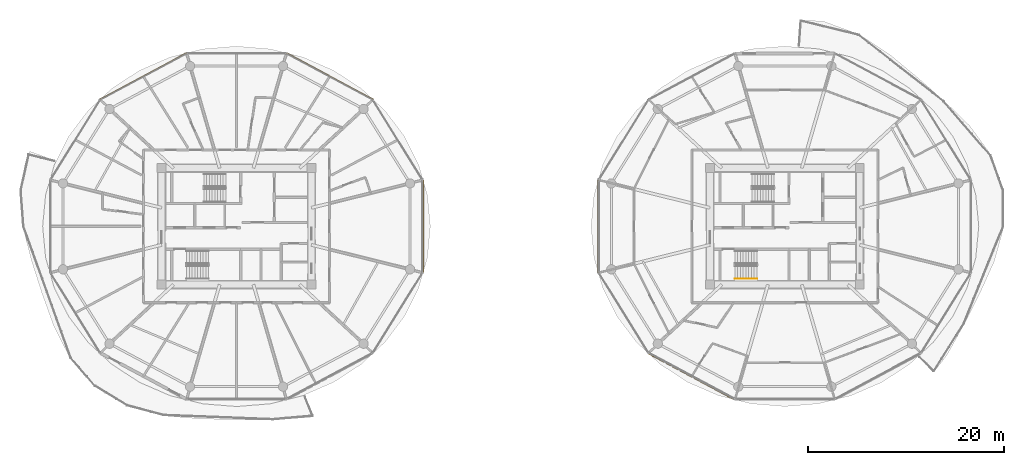
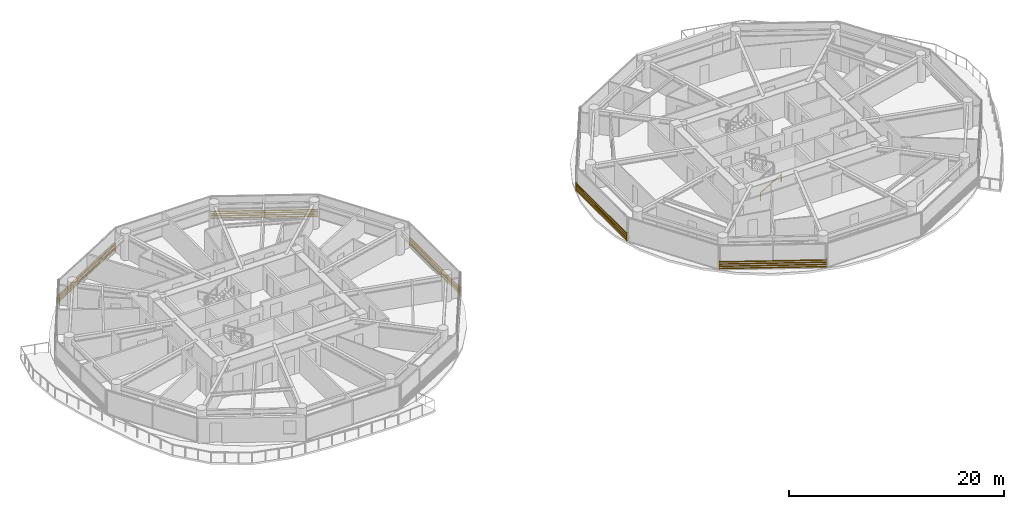
# One storey, part 26 of 28: 5 shading devices, 1 railing.
"""IFC4 building model written with IfcOpenShell, lengths in metres."""

from ifc_helpers import new_model, si_unit, direction, frame, origin, origin_2d, place, context, subcontext, project, spatial, rectangle, extrude, source, transform, mapped, material, type_object, type_shapes, element, save


model = new_model("IFC4")

# Units and contexts
model_context = context("Model", 3, precision=1e-05, world=origin(), true_north=direction((0.0, 1.0)))
body_context = subcontext(model_context, "Body", "Model", "MODEL_VIEW")
ifc_project = project(units=[si_unit("LENGTHUNIT", "METRE"), si_unit("AREAUNIT", "SQUARE_METRE"), si_unit("VOLUMEUNIT", "CUBIC_METRE"), si_unit("PLANEANGLEUNIT", "RADIAN"), si_unit("MASSUNIT", "GRAM", prefix="KILO")], contexts=[model_context])

# Site, building, storey
site_placement = place(None, origin())
site = spatial("IfcSite", under=ifc_project, at=site_placement, CompositionType="ELEMENT")
building_placement = place(site_placement, origin())
building = spatial("IfcBuilding", under=site, at=building_placement, Name="Norrkilde Senior Care Towers", CompositionType="ELEMENT")
storey_placement = place(building_placement, frame((0.0, 0.0, 39.89990234375)))
storey = spatial("IfcBuildingStorey", under=building, at=storey_placement, Name="L11", CompositionType="ELEMENT", Elevation=39.89990234375)

# Railing
ifc_material_1 = material(Name="Nordic Ash Timber", Category="wood")
railing_type = type_object("IfcRailingType", Name="Wall and Stair Handrail 900", PredefinedType="HANDRAIL", material=ifc_material_1)
railing_placement = place(storey_placement, frame((22.89990234375, -5.35009765625, 0.16943359375)))
element("IfcRailing", 1, at=railing_placement, inside=storey, type_object=railing_type, Name="L11 ST-E2 stair handrail 1", PredefinedType="HANDRAIL", context=body_context, shape_type="SweptSolid", body=[
    extrude(rectangle(XDim=0.048095703125, YDim=0.048095703125, at=origin_2d()), frame((0.0, 0.0, 0.8759765625), z_axis=(0.855512035549, 0.0, 0.517782924622), x_axis=(0.0, 1.0, 0.0)), (0.0, 0.0, 1.0), 2.618408203125),
    extrude(rectangle(XDim=0.0419921875, YDim=0.0419921875, at=origin_2d()), origin(), (0.0, 0.0, 1.0), 0.849853515625),
    extrude(rectangle(XDim=0.0419921875, YDim=0.0419921875, at=origin_2d()), frame((1.1201171875, 0.0, 0.677734375)), (0.0, 0.0, 1.0), 0.849853515625),
    extrude(rectangle(XDim=0.0419921875, YDim=0.0419921875, at=origin_2d()), frame((2.239990234375, 0.0, 1.355712890625)), (0.0, 0.0, 1.0), 0.849853515625),
])

# Shading devices
ifc_material_2 = material(Name="Architectural Terracotta", Category="masonry")
shading_device_type = type_object("IfcShadingDeviceType", Name="Horizontal Terracotta Baguette Rack", PredefinedType="USERDEFINED", material=ifc_material_2)
shared_shape_1 = source(origin(), body_context, "Body", "SweptSolid", [
    extrude(rectangle(XDim=0.070068359375, YDim=0.110107421875, at=origin_2d()), frame((0.0, 0.090087890625, 0.125), z_axis=(1.0, 0.0, 0.0), x_axis=(0.0, 1.0, 0.0)), (0.0, 0.0, 1.0), 10.0107421875),
    extrude(rectangle(XDim=0.070068359375, YDim=0.110107421875, at=origin_2d()), frame((0.0, 0.090087890625, 0.375), z_axis=(1.0, 0.0, 0.0), x_axis=(0.0, 1.0, 0.0)), (0.0, 0.0, 1.0), 10.0107421875),
    extrude(rectangle(XDim=0.070068359375, YDim=0.110107421875, at=origin_2d()), frame((0.0, 0.090087890625, 0.625), z_axis=(1.0, 0.0, 0.0), x_axis=(0.0, 1.0, 0.0)), (0.0, 0.0, 1.0), 10.0107421875),
    extrude(rectangle(XDim=0.070068359375, YDim=0.110107421875, at=origin_2d()), frame((0.0, 0.090087890625, 0.875), z_axis=(1.0, 0.0, 0.0), x_axis=(0.0, 1.0, 0.0)), (0.0, 0.0, 1.0), 10.0107421875),
    extrude(rectangle(XDim=0.050048828125, YDim=0.1552734375, at=origin_2d()), frame((0.02490234375, 0.047607421875, 0.0)), (0.0, 0.0, 1.0), 1.0),
    extrude(rectangle(XDim=0.050048828125, YDim=0.1552734375, at=origin_2d()), frame((9.98583984375, 0.047607421875, 0.0)), (0.0, 0.0, 1.0), 1.0),
])
for number, where, z_axis, x_axis, name in (
    (2, (-22.906494140625, 17.6572265625, 0.080078125), (0.0, 0.0, 1.0), (0.881279875134, -0.472612428056, 0.0), "L11 Drum W Terracotta Baguette Screen 01"),
    (3, (-41.915771484375, 12.926025390625, 0.080078125), (0.0, 0.0, 1.0), (0.881279875134, 0.472612428056, 0.0), "L11 Drum W Terracotta Baguette Screen 03"),
    (4, (22.906494140625, -17.6572265625, 0.080078125), (0.0, 0.0, 1.0), (-0.881279875134, 0.472612428056, 0.0), "L11 Drum E Terracotta Baguette Screen 07"),
):
    element("IfcShadingDevice", number, at=place(storey_placement, frame(where, z_axis=z_axis, x_axis=x_axis)), inside=storey, type_object=shading_device_type, Name=name, ObjectType="BAGUETTE", PredefinedType="USERDEFINED", context=body_context, shape_type="MappedRepresentation", body=[
        mapped(shared_shape_1, transform((0.0, 0.0, 0.0), x_axis=(1.0, 0.0, 0.0), y_axis=(0.0, 1.0, 0.0), z_axis=(0.0, 0.0, 1.0), scale=1.0)),
    ])
shared_shape_2 = source(origin(), body_context, "Body", "SweptSolid", [
    extrude(rectangle(XDim=0.070068359375, YDim=0.110107421875, at=origin_2d()), frame((0.0, 0.090087890625, 0.125), z_axis=(1.0, 0.0, 0.0), x_axis=(0.0, 1.0, 0.0)), (0.0, 0.0, 1.0), 9.46240234375),
    extrude(rectangle(XDim=0.070068359375, YDim=0.110107421875, at=origin_2d()), frame((0.0, 0.090087890625, 0.375), z_axis=(1.0, 0.0, 0.0), x_axis=(0.0, 1.0, 0.0)), (0.0, 0.0, 1.0), 9.46240234375),
    extrude(rectangle(XDim=0.070068359375, YDim=0.110107421875, at=origin_2d()), frame((0.0, 0.090087890625, 0.625), z_axis=(1.0, 0.0, 0.0), x_axis=(0.0, 1.0, 0.0)), (0.0, 0.0, 1.0), 9.46240234375),
    extrude(rectangle(XDim=0.070068359375, YDim=0.110107421875, at=origin_2d()), frame((0.0, 0.090087890625, 0.875), z_axis=(1.0, 0.0, 0.0), x_axis=(0.0, 1.0, 0.0)), (0.0, 0.0, 1.0), 9.46240234375),
    extrude(rectangle(XDim=0.050048828125, YDim=0.1552734375, at=origin_2d()), frame((0.02490234375, 0.047607421875, 0.0)), (0.0, 0.0, 1.0), 1.0),
    extrude(rectangle(XDim=0.050048828125, YDim=0.1552734375, at=origin_2d()), frame((9.4375, 0.047607421875, 0.0)), (0.0, 0.0, 1.0), 1.0),
])
type_shapes(shading_device_type, [shared_shape_1, shared_shape_2])
for number, where, z_axis, x_axis, name in (
    (5, (-8.990478515625, 4.731201171875, 0.080078125), (0.0, 0.0, 1.0), (0.0, -1.0, 0.0), "L11 Drum W Terracotta Baguette Screen 11"),
    (6, (8.990478515625, -4.731201171875, 0.080078125), (0.0, 0.0, 1.0), (0.0, 1.0, 0.0), "L11 Drum E Terracotta Baguette Screen 05"),
):
    element("IfcShadingDevice", number, at=place(storey_placement, frame(where, z_axis=z_axis, x_axis=x_axis)), inside=storey, type_object=shading_device_type, Name=name, ObjectType="BAGUETTE", PredefinedType="USERDEFINED", context=body_context, shape_type="MappedRepresentation", body=[
        mapped(shared_shape_2, transform((0.0, 0.0, 0.0), x_axis=(1.0, 0.0, 0.0), y_axis=(0.0, 1.0, 0.0), z_axis=(0.0, 0.0, 1.0), scale=1.0)),
    ])

save(model, "model.ifc")
